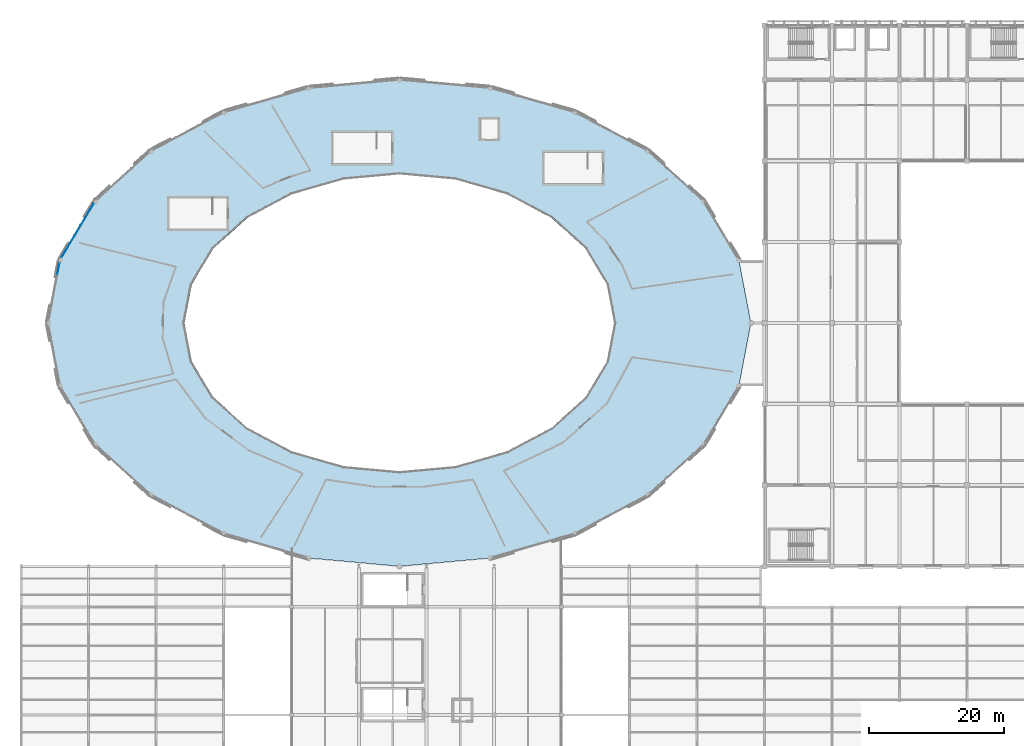
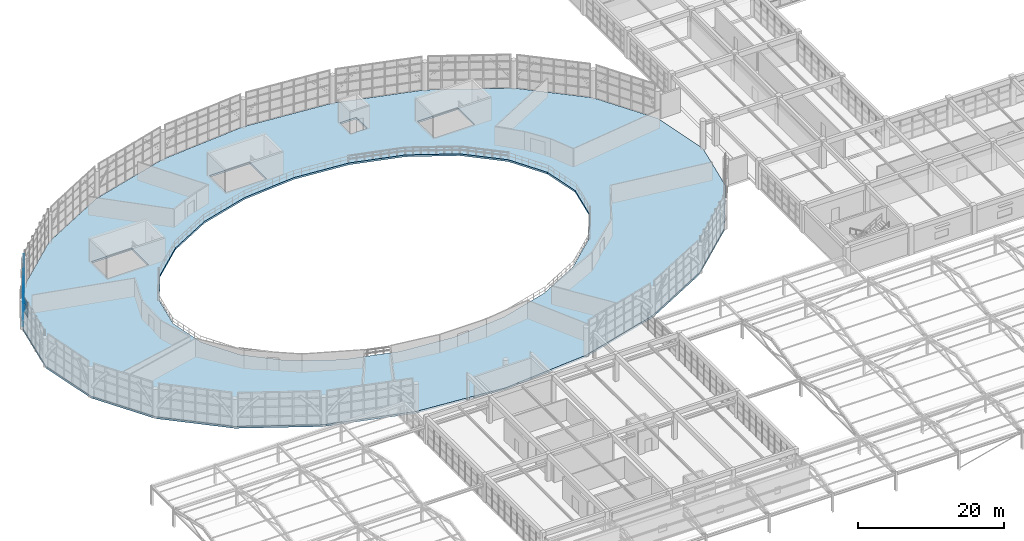
# One storey, part 68 of 109: 22 plates, 1 slab, 2 elements without a shape of their own.
"""IFC4 building model written with IfcOpenShell, lengths in metres."""

from ifc_helpers import new_model, si_unit, direction, frame, origin, origin_2d, place, context, subcontext, project, spatial, polyline, rectangle, outline, extrude, material, layer, layer_set, type_object, element, aggregate, save


model = new_model("IFC4")

# Units and contexts
model_context = context("Model", 3, precision=1e-05, world=origin(), true_north=direction((0.0, 1.0)))
body_context = subcontext(model_context, "Body", "Model", "MODEL_VIEW")
ifc_project = project(units=[si_unit("LENGTHUNIT", "METRE"), si_unit("AREAUNIT", "SQUARE_METRE"), si_unit("VOLUMEUNIT", "CUBIC_METRE"), si_unit("PLANEANGLEUNIT", "RADIAN"), si_unit("MASSUNIT", "GRAM", prefix="KILO")], contexts=[model_context])

# Site, building, storey
site_placement = place(None, origin())
site = spatial("IfcSite", under=ifc_project, at=site_placement, CompositionType="ELEMENT")
building_placement = place(site_placement, origin())
building = spatial("IfcBuilding", under=site, at=building_placement, Name="Kivolera Central Railway Station", CompositionType="ELEMENT")
storey_placement = place(building_placement, frame((0.0, 0.0, 9.60009765625)))
storey = spatial("IfcBuildingStorey", under=building, at=storey_placement, Name="L02", CompositionType="ELEMENT", Elevation=9.60009765625)

# Curtain wall, plates
ifc_material_1 = material(Name="Anodised aluminium", Category="aluminium")
ifc_layer_1 = layer(ifc_material_1, 0.179931640625, Name="Anodised aluminium")
ifc_layer_set_1 = layer_set([ifc_layer_1], Name="Anodised aluminium")
curtain_wall_type_1 = type_object("IfcCurtainWallType", Name="CW-SYS-03", PredefinedType="NOTDEFINED", material=ifc_layer_set_1)
curtain_wall_1_placement = place(storey_placement, origin())
curtain_wall_1 = element("IfcCurtainWall", 1, at=curtain_wall_1_placement, inside=storey, type_object=curtain_wall_type_1, Name="L02 Curtain Wall CW-L02-OVL-10", PredefinedType="NOTDEFINED")
ifc_material_2 = material(Name="Double low-E laminated glass", Category="glass")
ifc_layer_2 = layer(ifc_material_2, 0.033935546875, Name="Double low-E laminated glass")
ifc_layer_set_2 = layer_set([ifc_layer_2], Name="Double low-E laminated glass")
plate_type_1 = type_object("IfcPlateType", Name="CWP-GLZ-3", PredefinedType="CURTAIN_PANEL", material=ifc_layer_set_2)
plate_1_placement = place(storey_placement, frame((14.464599609375, 100.474609375, 0.057861328125), z_axis=(0.0, 0.0, 1.0), x_axis=(0.513453894052, 0.858117182372, 0.0)))
plate_1 = element("IfcPlate", 2, at=plate_1_placement, type_object=plate_type_1, Name="CW-03 panel 1.1", PredefinedType="CURTAIN_PANEL", context=body_context, shape_type="SweptSolid", body=[
    extrude(rectangle(XDim=1.782958984375, YDim=0.033935546875, at=origin_2d()), origin(), (0.0, 0.0, 1.0), 1.51904296875),
])
plate_2_placement = place(storey_placement, frame((14.464599609375, 100.474609375, 1.623046875), z_axis=(0.0, 0.0, 1.0), x_axis=(0.513453894052, 0.858117182372, 0.0)))
plate_2 = element("IfcPlate", 3, at=plate_2_placement, type_object=plate_type_1, Name="CW-03 panel 1.2", PredefinedType="CURTAIN_PANEL", context=body_context, shape_type="SweptSolid", body=[
    extrude(rectangle(XDim=1.782958984375, YDim=0.033935546875, at=origin_2d()), origin(), (0.0, 0.0, 1.0), 1.553955078125),
])
plate_3_placement = place(storey_placement, frame((14.464599609375, 100.474609375, 3.22314453125), z_axis=(0.0, 0.0, 1.0), x_axis=(0.513453894052, 0.858117182372, 0.0)))
plate_3 = element("IfcPlate", 4, at=plate_3_placement, type_object=plate_type_1, Name="CW-03 panel 1.3", PredefinedType="CURTAIN_PANEL", context=body_context, shape_type="SweptSolid", body=[
    extrude(rectangle(XDim=1.782958984375, YDim=0.033935546875, at=origin_2d()), origin(), (0.0, 0.0, 1.0), 1.303955078125),
])
plate_4_placement = place(storey_placement, frame((14.464599609375, 100.474609375, 4.57275390625), z_axis=(0.0, 0.0, 1.0), x_axis=(0.513453894052, 0.858117182372, 0.0)))
plate_4 = element("IfcPlate", 5, at=plate_4_placement, type_object=plate_type_1, Name="CW-03 panel 1.4", PredefinedType="CURTAIN_PANEL", context=body_context, shape_type="SweptSolid", body=[
    extrude(rectangle(XDim=1.782958984375, YDim=0.033935546875, at=origin_2d()), origin(), (0.0, 0.0, 1.0), 1.069091796875),
])
plate_5_placement = place(storey_placement, frame((15.41259765625, 102.05908203125, 0.057861328125), z_axis=(0.0, 0.0, 1.0), x_axis=(0.513453894052, 0.858117182372, 0.0)))
plate_5 = element("IfcPlate", 6, at=plate_5_placement, type_object=plate_type_1, Name="CW-03 panel 2.1", PredefinedType="CURTAIN_PANEL", context=body_context, shape_type="SweptSolid", body=[
    extrude(rectangle(XDim=1.81787109375, YDim=0.033935546875, at=origin_2d()), origin(), (0.0, 0.0, 1.0), 1.51904296875),
])
plate_6_placement = place(storey_placement, frame((15.41259765625, 102.05908203125, 1.623046875), z_axis=(0.0, 0.0, 1.0), x_axis=(0.513453894052, 0.858117182372, 0.0)))
plate_6 = element("IfcPlate", 7, at=plate_6_placement, type_object=plate_type_1, Name="CW-03 panel 2.2", PredefinedType="CURTAIN_PANEL", context=body_context, shape_type="SweptSolid", body=[
    extrude(rectangle(XDim=1.81787109375, YDim=0.033935546875, at=origin_2d()), origin(), (0.0, 0.0, 1.0), 1.553955078125),
])
plate_7_placement = place(storey_placement, frame((15.41259765625, 102.05908203125, 3.22314453125), z_axis=(0.0, 0.0, 1.0), x_axis=(0.513453894052, 0.858117182372, 0.0)))
plate_7 = element("IfcPlate", 8, at=plate_7_placement, type_object=plate_type_1, Name="CW-03 panel 2.3", PredefinedType="CURTAIN_PANEL", context=body_context, shape_type="SweptSolid", body=[
    extrude(rectangle(XDim=1.81787109375, YDim=0.033935546875, at=origin_2d()), origin(), (0.0, 0.0, 1.0), 1.303955078125),
])
plate_8_placement = place(storey_placement, frame((15.41259765625, 102.05908203125, 4.57275390625), z_axis=(0.0, 0.0, 1.0), x_axis=(0.513453894052, 0.858117182372, 0.0)))
plate_8 = element("IfcPlate", 9, at=plate_8_placement, type_object=plate_type_1, Name="CW-03 panel 2.4", PredefinedType="CURTAIN_PANEL", context=body_context, shape_type="SweptSolid", body=[
    extrude(rectangle(XDim=1.81787109375, YDim=0.033935546875, at=origin_2d()), origin(), (0.0, 0.0, 1.0), 1.069091796875),
])
plate_9_placement = place(storey_placement, frame((16.369384765625, 103.658447265625, 0.057861328125), z_axis=(0.0, 0.0, 1.0), x_axis=(0.513453894052, 0.858117182372, 0.0)))
plate_9 = element("IfcPlate", 10, at=plate_9_placement, type_object=plate_type_1, Name="CW-03 panel 3.1", PredefinedType="CURTAIN_PANEL", context=body_context, shape_type="SweptSolid", body=[
    extrude(rectangle(XDim=1.81787109375, YDim=0.033935546875, at=origin_2d()), origin(), (0.0, 0.0, 1.0), 1.51904296875),
])
plate_10_placement = place(storey_placement, frame((16.369384765625, 103.658447265625, 1.623046875), z_axis=(0.0, 0.0, 1.0), x_axis=(0.513453894052, 0.858117182372, 0.0)))
plate_10 = element("IfcPlate", 11, at=plate_10_placement, type_object=plate_type_1, Name="CW-03 panel 3.2", PredefinedType="CURTAIN_PANEL", context=body_context, shape_type="SweptSolid", body=[
    extrude(rectangle(XDim=1.81787109375, YDim=0.033935546875, at=origin_2d()), origin(), (0.0, 0.0, 1.0), 1.553955078125),
])
plate_11_placement = place(storey_placement, frame((16.369384765625, 103.658447265625, 3.22314453125), z_axis=(0.0, 0.0, 1.0), x_axis=(0.513453894052, 0.858117182372, 0.0)))
plate_11 = element("IfcPlate", 12, at=plate_11_placement, type_object=plate_type_1, Name="CW-03 panel 3.3", PredefinedType="CURTAIN_PANEL", context=body_context, shape_type="SweptSolid", body=[
    extrude(rectangle(XDim=1.81787109375, YDim=0.033935546875, at=origin_2d()), origin(), (0.0, 0.0, 1.0), 1.303955078125),
])
plate_12_placement = place(storey_placement, frame((16.369384765625, 103.658447265625, 4.57275390625), z_axis=(0.0, 0.0, 1.0), x_axis=(0.513453894052, 0.858117182372, 0.0)))
plate_12 = element("IfcPlate", 13, at=plate_12_placement, type_object=plate_type_1, Name="CW-03 panel 3.4", PredefinedType="CURTAIN_PANEL", context=body_context, shape_type="SweptSolid", body=[
    extrude(rectangle(XDim=1.81787109375, YDim=0.033935546875, at=origin_2d()), origin(), (0.0, 0.0, 1.0), 1.069091796875),
])
plate_13_placement = place(storey_placement, frame((17.326416015625, 105.2578125, 0.057861328125), z_axis=(0.0, 0.0, 1.0), x_axis=(0.513453894052, 0.858117182372, 0.0)))
plate_13 = element("IfcPlate", 14, at=plate_13_placement, type_object=plate_type_1, Name="CW-03 panel 4.1", PredefinedType="CURTAIN_PANEL", context=body_context, shape_type="SweptSolid", body=[
    extrude(rectangle(XDim=1.81787109375, YDim=0.033935546875, at=origin_2d()), origin(), (0.0, 0.0, 1.0), 1.51904296875),
])
plate_14_placement = place(storey_placement, frame((17.326416015625, 105.2578125, 1.623046875), z_axis=(0.0, 0.0, 1.0), x_axis=(0.513453894052, 0.858117182372, 0.0)))
plate_14 = element("IfcPlate", 15, at=plate_14_placement, type_object=plate_type_1, Name="CW-03 panel 4.2", PredefinedType="CURTAIN_PANEL", context=body_context, shape_type="SweptSolid", body=[
    extrude(rectangle(XDim=1.81787109375, YDim=0.033935546875, at=origin_2d()), origin(), (0.0, 0.0, 1.0), 1.553955078125),
])
plate_15_placement = place(storey_placement, frame((17.326416015625, 105.2578125, 3.22314453125), z_axis=(0.0, 0.0, 1.0), x_axis=(0.513453894052, 0.858117182372, 0.0)))
plate_15 = element("IfcPlate", 16, at=plate_15_placement, type_object=plate_type_1, Name="CW-03 panel 4.3", PredefinedType="CURTAIN_PANEL", context=body_context, shape_type="SweptSolid", body=[
    extrude(rectangle(XDim=1.81787109375, YDim=0.033935546875, at=origin_2d()), origin(), (0.0, 0.0, 1.0), 1.303955078125),
])
plate_16_placement = place(storey_placement, frame((17.326416015625, 105.2578125, 4.57275390625), z_axis=(0.0, 0.0, 1.0), x_axis=(0.513453894052, 0.858117182372, 0.0)))
plate_16 = element("IfcPlate", 17, at=plate_16_placement, type_object=plate_type_1, Name="CW-03 panel 4.4", PredefinedType="CURTAIN_PANEL", context=body_context, shape_type="SweptSolid", body=[
    extrude(rectangle(XDim=1.81787109375, YDim=0.033935546875, at=origin_2d()), origin(), (0.0, 0.0, 1.0), 1.069091796875),
])
plate_17_placement = place(storey_placement, frame((18.2744140625, 106.84228515625, 0.057861328125), z_axis=(0.0, 0.0, 1.0), x_axis=(0.513453894052, 0.858117182372, 0.0)))
plate_17 = element("IfcPlate", 18, at=plate_17_placement, type_object=plate_type_1, Name="CW-03 panel 5.1", PredefinedType="CURTAIN_PANEL", context=body_context, shape_type="SweptSolid", body=[
    extrude(rectangle(XDim=1.782958984375, YDim=0.033935546875, at=origin_2d()), origin(), (0.0, 0.0, 1.0), 1.51904296875),
])
plate_18_placement = place(storey_placement, frame((18.2744140625, 106.84228515625, 1.623046875), z_axis=(0.0, 0.0, 1.0), x_axis=(0.513453894052, 0.858117182372, 0.0)))
plate_18 = element("IfcPlate", 19, at=plate_18_placement, type_object=plate_type_1, Name="CW-03 panel 5.2", PredefinedType="CURTAIN_PANEL", context=body_context, shape_type="SweptSolid", body=[
    extrude(rectangle(XDim=1.782958984375, YDim=0.033935546875, at=origin_2d()), origin(), (0.0, 0.0, 1.0), 1.553955078125),
])
plate_19_placement = place(storey_placement, frame((18.2744140625, 106.84228515625, 3.22314453125), z_axis=(0.0, 0.0, 1.0), x_axis=(0.513453894052, 0.858117182372, 0.0)))
plate_19 = element("IfcPlate", 20, at=plate_19_placement, type_object=plate_type_1, Name="CW-03 panel 5.3", PredefinedType="CURTAIN_PANEL", context=body_context, shape_type="SweptSolid", body=[
    extrude(rectangle(XDim=1.782958984375, YDim=0.033935546875, at=origin_2d()), origin(), (0.0, 0.0, 1.0), 1.303955078125),
])
plate_20_placement = place(storey_placement, frame((18.2744140625, 106.84228515625, 4.57275390625), z_axis=(0.0, 0.0, 1.0), x_axis=(0.513453894052, 0.858117182372, 0.0)))
plate_20 = element("IfcPlate", 21, at=plate_20_placement, type_object=plate_type_1, Name="CW-03 panel 5.4", PredefinedType="CURTAIN_PANEL", context=body_context, shape_type="SweptSolid", body=[
    extrude(rectangle(XDim=1.782958984375, YDim=0.033935546875, at=origin_2d()), origin(), (0.0, 0.0, 1.0), 1.069091796875),
])
aggregate(curtain_wall_1, [plate_1, plate_2, plate_3, plate_4, plate_5, plate_6, plate_7, plate_8, plate_9, plate_10, plate_11, plate_12, plate_13, plate_14, plate_15, plate_16, plate_17, plate_18, plate_19, plate_20])

ifc_layer_3 = layer(ifc_material_1, 0.179931640625, Name="Anodised aluminium")
ifc_layer_set_3 = layer_set([ifc_layer_3], Name="Anodised aluminium")
curtain_wall_type_2 = type_object("IfcCurtainWallType", Name="CW-SYS-15", PredefinedType="NOTDEFINED", material=ifc_layer_set_3)
curtain_wall_2_placement = place(storey_placement, origin())
curtain_wall_2 = element("IfcCurtainWall", 22, at=curtain_wall_2_placement, inside=storey, type_object=curtain_wall_type_2, Name="L02 Curtain Wall CW-L02-OVL-11", PredefinedType="NOTDEFINED")
ifc_layer_4 = layer(ifc_material_2, 0.0380859375, Name="Double low-E laminated glass")
ifc_layer_set_4 = layer_set([ifc_layer_4], Name="Double low-E laminated glass")
plate_type_2 = type_object("IfcPlateType", Name="CWP-GLZ-4", PredefinedType="CURTAIN_PANEL", material=ifc_layer_set_4)
plate_21_placement = place(storey_placement, frame((13.531494140625, 98.0537109375, 3.22314453125), z_axis=(0.0, 0.0, 1.0), x_axis=(0.186784012201, 0.982401004064, 0.0)))
plate_21 = element("IfcPlate", 23, at=plate_21_placement, type_object=plate_type_2, Name="CW-15 panel 5.3", PredefinedType="CURTAIN_PANEL", context=body_context, shape_type="SweptSolid", body=[
    extrude(rectangle(XDim=1.65576171875, YDim=0.0380859375, at=origin_2d()), origin(), (0.0, 0.0, 1.0), 1.303955078125),
])
plate_22_placement = place(storey_placement, frame((13.531494140625, 98.0537109375, 4.57275390625), z_axis=(0.0, 0.0, 1.0), x_axis=(0.186784012201, 0.982401004064, 0.0)))
plate_22 = element("IfcPlate", 24, at=plate_22_placement, type_object=plate_type_2, Name="CW-15 panel 5.4", PredefinedType="CURTAIN_PANEL", context=body_context, shape_type="SweptSolid", body=[
    extrude(rectangle(XDim=1.65576171875, YDim=0.0380859375, at=origin_2d()), origin(), (0.0, 0.0, 1.0), 1.069091796875),
])
aggregate(curtain_wall_2, [plate_21, plate_22])

# Slab
ifc_material_3 = material(Name="Concrete C40/50", Category="concrete")
ifc_layer_5 = layer(ifc_material_3, 0.31005859375, Name="Concrete C40/50")
ifc_layer_set_5 = layer_set([ifc_layer_5], Name="Concrete C40/50")
slab_type = type_object("IfcSlabType", Name="SLB-FLR-310", PredefinedType="FLOOR", material=ifc_layer_set_5)
slab_placement = place(storey_placement, frame((0.0, 0.0, -0.31005859375)))
element("IfcSlab", 25, at=slab_placement, inside=storey, type_object=slab_type, Name="L02 Oval Concourse Upper Gallery Slab", PredefinedType="FLOOR", context=body_context, shape_type="SweptSolid", body=[
    extrude(outline(polyline([(116.0, 90.0), (114.22802734375, 99.31689453125), (109.032958984375, 108.0), (100.77001953125, 115.4560546875), (90.0, 121.177001953125), (77.458984375, 124.77294921875), (64.0, 126.0), (50.541015625, 124.77294921875), (38.0, 121.177001953125), (27.22998046875, 115.4560546875), (18.967041015625, 108.0), (13.77197265625, 99.31689453125), (12.0, 90.0), (13.77197265625, 80.68310546875), (18.967041015625, 72.0), (27.22998046875, 64.5439453125), (38.0, 58.822998046875), (50.541015625, 55.22705078125), (64.0, 54.0), (77.458984375, 55.22705078125), (90.0, 58.822998046875), (100.77001953125, 64.5439453125), (109.032958984375, 72.0), (114.22802734375, 80.68310546875), (116.0, 90.0)]), holes=[polyline([(95.800048828125, 90.0), (94.716064453125, 95.694091796875), (91.5400390625, 101.0), (86.486083984375, 105.555908203125), (79.89990234375, 109.052978515625), (72.22998046875, 111.25), (64.0, 112.0), (55.77001953125, 111.25), (48.10009765625, 109.052978515625), (41.513916015625, 105.555908203125), (36.4599609375, 101.0), (33.283935546875, 95.694091796875), (32.199951171875, 90.0), (33.283935546875, 84.305908203125), (36.4599609375, 79.0), (41.513916015625, 74.444091796875), (48.10009765625, 70.947021484375), (55.77001953125, 68.75), (64.0, 68.0), (72.22998046875, 68.75), (79.89990234375, 70.947021484375), (86.486083984375, 74.444091796875), (91.5400390625, 79.0), (94.716064453125, 84.305908203125), (95.800048828125, 90.0)]), polyline([(60.60009765625, 118.199951171875), (54.199951171875, 118.199951171875), (54.199951171875, 113.6201171875), (60.60009765625, 113.6201171875), (60.60009765625, 118.199951171875)]), polyline([(36.300048828125, 108.5), (29.89990234375, 108.5), (29.89990234375, 103.919921875), (36.300048828125, 103.919921875), (36.300048828125, 108.5)]), polyline([(91.800048828125, 115.199951171875), (85.39990234375, 115.199951171875), (85.39990234375, 110.6201171875), (91.800048828125, 110.6201171875), (91.800048828125, 115.199951171875)]), polyline([(76.0, 117.199951171875), (78.60009765625, 117.199951171875), (78.60009765625, 120.199951171875), (76.0, 120.199951171875), (76.0, 117.199951171875)])]), origin(), (0.0, 0.0, 1.0), 0.31005859375),
])

save(model, "model.ifc")
